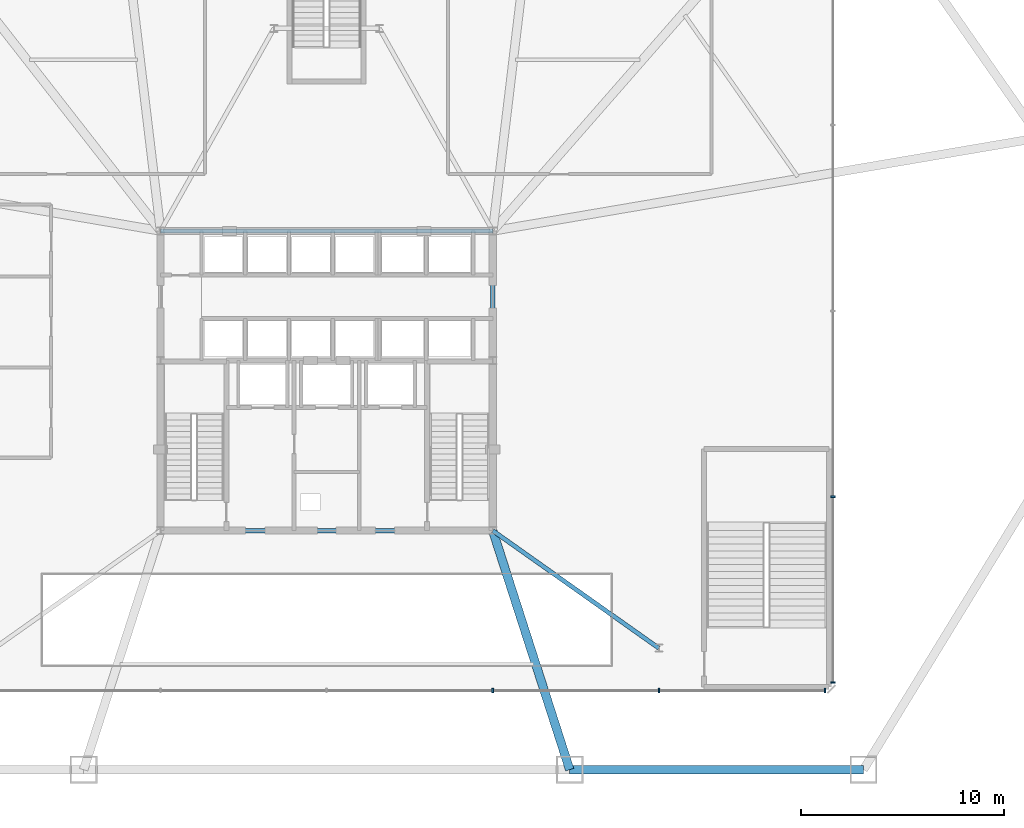
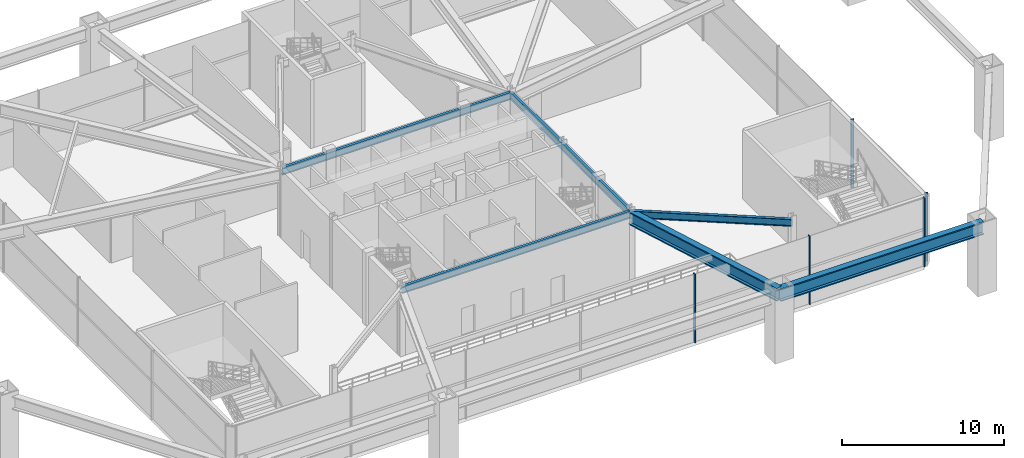
# One storey, part 8 of 18: 6 beams, 5 members, 2 elements without a shape of their own.
"""IFC4 building model written with IfcOpenShell, lengths in metres."""

from ifc_helpers import new_model, si_unit, direction, frame, origin, origin_2d, place, context, subcontext, project, spatial, rectangle, i_section, extrude, source, transform, mapped, material, layer, layer_set, material_profile, profile_set, type_object, type_shapes, element, aggregate, save


model = new_model("IFC4")

# Units and contexts
model_context = context("Model", 3, precision=1e-05, world=origin(), true_north=direction((0.0, 1.0)))
body_context = subcontext(model_context, "Body", "Model", "MODEL_VIEW")
ifc_project = project(units=[si_unit("LENGTHUNIT", "METRE"), si_unit("AREAUNIT", "SQUARE_METRE"), si_unit("VOLUMEUNIT", "CUBIC_METRE"), si_unit("PLANEANGLEUNIT", "RADIAN"), si_unit("MASSUNIT", "GRAM", prefix="KILO")], contexts=[model_context])

# Site, building, storey
site_placement = place(None, origin())
site = spatial("IfcSite", under=ifc_project, at=site_placement, CompositionType="ELEMENT")
building_placement = place(site_placement, origin())
building = spatial("IfcBuilding", under=site, at=building_placement, Name="Varakhsha Concourse Tower", CompositionType="ELEMENT")
storey_placement = place(building_placement, frame((0.0, 0.0, 5.5)))
storey = spatial("IfcBuildingStorey", under=building, at=storey_placement, Name="L02", CompositionType="ELEMENT", Elevation=5.5)

# Beams
ifc_material_1 = material(Name="Structural Steel ASTM A992 Grade 50", Category="steel")
ifc_material_profile_1 = material_profile(ifc_material_1, i_section(OverallWidth=0.2109375, OverallDepth=0.5390625, WebThickness=0.011962890625, FlangeThickness=0.01904296875, at=origin_2d()), Name="W21X73")
ifc_profile_set_1 = profile_set([ifc_material_profile_1], Name="Structural Steel ASTM A992 Grade 50")
beam_type_1 = type_object("IfcBeamType", Name="BM-RAD-W21X73", PredefinedType="BEAM", material=ifc_profile_set_1)
for number, where, z_axis, x_axis, name in (
    (1, (31.800048828125, 16.39990234375, 4.910400390625), (1.0, 0.0, 0.0), (0.0, 1.0, 0.0), "BM-CORE-L02-CS"),
    (2, (31.800048828125, 31.199951171875, 4.910400390625), (1.0, 0.0, 0.0), (0.0, 1.0, 0.0), "BM-CORE-L02-CN"),
):
    element("IfcBeam", number, at=place(storey_placement, frame(where, z_axis=z_axis, x_axis=x_axis)), inside=storey, type_object=beam_type_1, Name=name, PredefinedType="BEAM", context=body_context, shape_type="SweptSolid", body=[
        extrude(i_section(OverallWidth=0.2109375, OverallDepth=0.5390625, WebThickness=0.011962890625, FlangeThickness=0.01904296875, at=origin_2d()), origin(), (0.0, 0.0, 1.0), 16.39990234375),
    ])
beam_1_placement = place(storey_placement, frame((48.199951171875, 16.39990234375, 4.910400390625), z_axis=(0.0, 1.0, 0.0), x_axis=(-1.0, 0.0, 0.0)))
element("IfcBeam", 3, at=beam_1_placement, inside=storey, type_object=beam_type_1, Name="BM-CORE-L02-CE", PredefinedType="BEAM", context=body_context, shape_type="SweptSolid", body=[
    extrude(i_section(OverallWidth=0.2109375, OverallDepth=0.5390625, WebThickness=0.011962890625, FlangeThickness=0.01904296875, at=origin_2d()), origin(), (0.0, 0.0, 1.0), 14.800048828125),
])
beam_2_placement = place(storey_placement, frame((48.199951171875, 16.39990234375, 4.910400390625), z_axis=(0.816423186202, -0.577454051014, 0.0), x_axis=(0.577454051014, 0.816423186202, 0.0)))
element("IfcBeam", 4, at=beam_2_placement, inside=storey, type_object=beam_type_1, Name="BM-CORE-L02-SSE", PredefinedType="BEAM", context=body_context, shape_type="SweptSolid", body=[
    extrude(i_section(OverallWidth=0.2109375, OverallDepth=0.5390625, WebThickness=0.011962890625, FlangeThickness=0.01904296875, at=origin_2d()), origin(), (0.0, 0.0, 1.0), 10.043701171875),
])
ifc_material_profile_2 = material_profile(ifc_material_1, i_section(OverallWidth=0.427978515625, OverallDepth=0.97509765625, WebThickness=0.050048828125, FlangeThickness=0.0810546875, at=origin_2d()), Name="W36X395")
ifc_profile_set_2 = profile_set([ifc_material_profile_2], Name="Structural Steel ASTM A992 Grade 50")
beam_type_2 = type_object("IfcBeamType", Name="BM-XFER-W36X395", PredefinedType="USERDEFINED", material=ifc_profile_set_2)
beam_3_placement = place(storey_placement, frame((52.0, 4.60009765625, 4.6923828125), z_axis=(1.0, 0.0, 0.0), x_axis=(0.0, 1.0, 0.0)))
element("IfcBeam", 5, at=beam_3_placement, inside=storey, type_object=beam_type_2, Name="BM-PRING-L02-03", ObjectType="GIRDER", PredefinedType="USERDEFINED", context=body_context, shape_type="SweptSolid", body=[
    extrude(i_section(OverallWidth=0.427978515625, OverallDepth=0.97509765625, WebThickness=0.050048828125, FlangeThickness=0.0810546875, at=origin_2d()), origin(), (0.0, 0.0, 1.0), 14.5),
])
beam_4_placement = place(storey_placement, frame((48.199951171875, 16.39990234375, 4.6923828125), z_axis=(0.306539531823, -0.951857928175, 0.0), x_axis=(0.951857928175, 0.306539531823, 0.0)))
element("IfcBeam", 6, at=beam_4_placement, inside=storey, type_object=beam_type_2, Name="BM-PRAD-L02-03", ObjectType="GIRDER", PredefinedType="USERDEFINED", context=body_context, shape_type="SweptSolid", body=[
    extrude(i_section(OverallWidth=0.427978515625, OverallDepth=0.97509765625, WebThickness=0.050048828125, FlangeThickness=0.0810546875, at=origin_2d()), origin(), (0.0, 0.0, 1.0), 12.396484375),
])

# Curtain wall, members
ifc_material_2 = material(Name="Anodised Bronze Architectural Aluminium AA 6063-T6", Category="aluminium")
ifc_layer = layer(ifc_material_2, 0.239990234375, Name="CW-SYS-01")
ifc_layer_set = layer_set([ifc_layer], Name="Anodised Bronze Architectural Aluminium AA 6063-T6")
curtain_wall_type = type_object("IfcCurtainWallType", Name="CW-SYS-01", PredefinedType="NOTDEFINED", material=ifc_layer_set)
curtain_wall_1_placement = place(storey_placement, origin())
curtain_wall_1 = element("IfcCurtainWall", 7, at=curtain_wall_1_placement, inside=storey, type_object=curtain_wall_type, Name="L02 Mezzanine Curtain Wall 01", PredefinedType="NOTDEFINED")
ifc_material_profile_3 = material_profile(ifc_material_2, rectangle(XDim=0.074951171875, YDim=0.219970703125, at=origin_2d()), Name="CWM-220X75")
ifc_profile_set_3 = profile_set([ifc_material_profile_3], Name="Anodised Bronze Architectural Aluminium AA 6063-T6")
member_type = type_object("IfcMemberType", Name="CWM-220X75", PredefinedType="MULLION", material=ifc_profile_set_3)
shared_shape = source(origin(), body_context, "Body", "SweptSolid", [
    extrude(rectangle(XDim=0.074951171875, YDim=0.219970703125, at=origin_2d()), origin(), (0.0, 0.0, 1.0), 5.179931640625),
])
type_shapes(member_type, [shared_shape])
member_1_placement = place(storey_placement, frame((48.199951171875, 8.5, 0.0), z_axis=(0.0, 0.0, 1.0), x_axis=(1.0, 0.0, 0.0)))
member_1 = element("IfcMember", 8, at=member_1_placement, type_object=member_type, Name="CW-L02-01 Mullion 04", PredefinedType="MULLION", context=body_context, shape_type="MappedRepresentation", body=[
    mapped(shared_shape, transform((0.0, 0.0, 0.0), scale=1.0)),
])
member_2_placement = place(storey_placement, frame((56.39990234375, 8.5, 0.0), z_axis=(0.0, 0.0, 1.0), x_axis=(1.0, 0.0, 0.0)))
member_2 = element("IfcMember", 9, at=member_2_placement, type_object=member_type, Name="CW-L02-01 Mullion 05", PredefinedType="MULLION", context=body_context, shape_type="MappedRepresentation", body=[
    mapped(shared_shape, transform((0.0, 0.0, 0.0), scale=1.0)),
])
member_3_placement = place(storey_placement, frame((64.60009765625, 8.5, 0.0), z_axis=(0.0, 0.0, 1.0), x_axis=(1.0, 0.0, 0.0)))
member_3 = element("IfcMember", 10, at=member_3_placement, type_object=member_type, Name="CW-L02-01 Mullion 06", PredefinedType="MULLION", context=body_context, shape_type="MappedRepresentation", body=[
    mapped(shared_shape, transform((0.0, 0.0, 0.0), scale=1.0)),
])
aggregate(curtain_wall_1, [member_1, member_2, member_3])

curtain_wall_2_placement = place(storey_placement, origin())
curtain_wall_2 = element("IfcCurtainWall", 11, at=curtain_wall_2_placement, inside=storey, type_object=curtain_wall_type, Name="L02 Mezzanine Curtain Wall 03", PredefinedType="NOTDEFINED")
member_4_placement = place(storey_placement, frame((65.0, 8.89990234375, 0.0), z_axis=(0.0, 0.0, 1.0), x_axis=(0.0, 1.0, 0.0)))
member_4 = element("IfcMember", 12, at=member_4_placement, type_object=member_type, Name="CW-L02-03 Mullion 00", PredefinedType="MULLION", context=body_context, shape_type="MappedRepresentation", body=[
    mapped(shared_shape, transform((0.0, 0.0, 0.0), scale=1.0)),
])
member_5_placement = place(storey_placement, frame((65.0, 18.074951171875, 0.0), z_axis=(0.0, 0.0, 1.0), x_axis=(0.0, 1.0, 0.0)))
member_5 = element("IfcMember", 13, at=member_5_placement, type_object=member_type, Name="CW-L02-03 Mullion 01", PredefinedType="MULLION", context=body_context, shape_type="MappedRepresentation", body=[
    mapped(shared_shape, transform((0.0, 0.0, 0.0), scale=1.0)),
])
aggregate(curtain_wall_2, [member_4, member_5])

save(model, "model.ifc")
